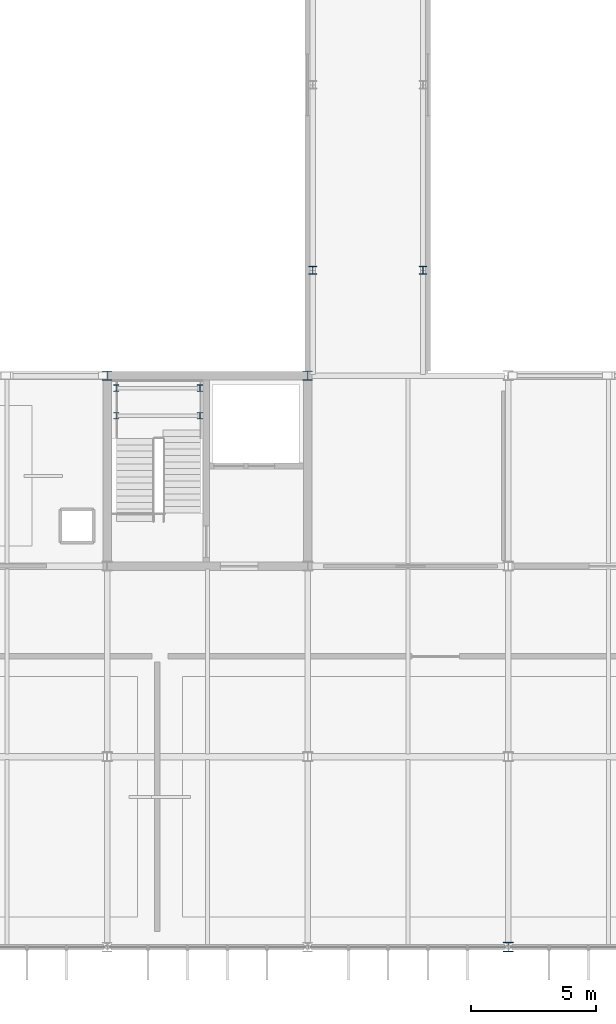
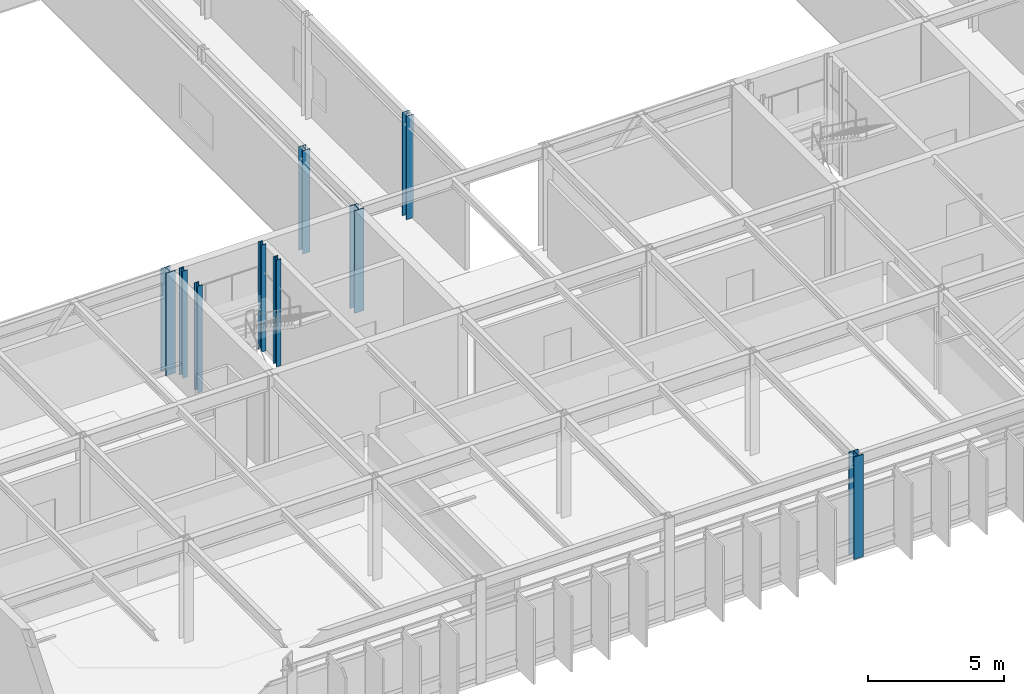
# One storey, part 2 of 104: 9 columns.
"""IFC4 building model written with IfcOpenShell, lengths in metres."""

from ifc_helpers import new_model, si_unit, direction, frame, origin, origin_2d, place, context, subcontext, project, spatial, i_section, extrude, material, material_profile, profile_set, type_object, element, save


model = new_model("IFC4")

# Units and contexts
model_context = context("Model", 3, precision=1e-05, world=origin(), true_north=direction((0.0, 1.0)))
body_context = subcontext(model_context, "Body", "Model", "MODEL_VIEW")
ifc_project = project(units=[si_unit("LENGTHUNIT", "METRE"), si_unit("AREAUNIT", "SQUARE_METRE"), si_unit("VOLUMEUNIT", "CUBIC_METRE"), si_unit("PLANEANGLEUNIT", "RADIAN"), si_unit("MASSUNIT", "GRAM", prefix="KILO")], contexts=[model_context])

# Site, building, storey
site_placement = place(None, origin())
site = spatial("IfcSite", under=ifc_project, at=site_placement, CompositionType="ELEMENT")
building_placement = place(site_placement, origin())
building = spatial("IfcBuilding", under=site, at=building_placement, Name="Zulena Civic Courthouse", CompositionType="ELEMENT")
storey_placement = place(building_placement, frame((0.0, 0.0, 15.60009765625)))
storey = spatial("IfcBuildingStorey", under=building, at=storey_placement, Name="L03", CompositionType="ELEMENT", Elevation=15.60009765625)

# Columns
ifc_material = material(Name="Steel ASTM A992 Grade 50", Category="steel")
ifc_material_profile_1 = material_profile(ifc_material, i_section(OverallWidth=0.2041015625, OverallDepth=0.257080078125, WebThickness=0.0087890625, FlangeThickness=0.015625, FilletRadius=0.0126953125, at=origin_2d()), Name="W10X45")
ifc_profile_set_1 = profile_set([ifc_material_profile_1], Name="Steel ASTM A992 Grade 50")
column_type_1 = type_object("IfcColumnType", Name="Col_W10X45", PredefinedType="COLUMN", material=ifc_profile_set_1)
for number, where, z_axis, x_axis, name in (
    (1, (20.360107421875, 21.199951171875, 0.0), (0.0, 0.0, 1.0), (1.0, 0.0, 0.0), "col:lnd:K2A:L03:0:0"),
    (2, (23.699951171875, 21.199951171875, 0.0), (0.0, 0.0, 1.0), (1.0, 0.0, 0.0), "col:lnd:K2A:L03:0:1"),
    (3, (20.360107421875, 22.300048828125, 0.0), (0.0, 0.0, 1.0), (1.0, 0.0, 0.0), "col:lnd:K2A:L03:1:0"),
    (4, (23.699951171875, 22.300048828125, 0.0), (0.0, 0.0, 1.0), (1.0, 0.0, 0.0), "col:lnd:K2A:L03:1:1"),
):
    element("IfcColumn", number, at=place(storey_placement, frame(where, z_axis=z_axis, x_axis=x_axis)), inside=storey, type_object=column_type_1, Name=name, PredefinedType="COLUMN", context=body_context, shape_type="SweptSolid", body=[
        extrude(i_section(OverallWidth=0.2041015625, OverallDepth=0.257080078125, WebThickness=0.0087890625, FlangeThickness=0.015625, FilletRadius=0.0126953125, at=origin_2d()), origin(), (0.0, 0.0, 1.0), 4.794921875),
    ])
ifc_material_profile_2 = material_profile(ifc_material, i_section(OverallWidth=0.306884765625, OverallDepth=0.31396484375, WebThickness=0.011962890625, FlangeThickness=0.018798828125, FilletRadius=0.01513671875, at=origin_2d()), Name="W12X79")
ifc_profile_set_2 = profile_set([ifc_material_profile_2], Name="Steel ASTM A992 Grade 50")
column_type_2 = type_object("IfcColumnType", Name="Col_W12X79", PredefinedType="COLUMN", material=ifc_profile_set_2)
for number, where, z_axis, x_axis, name in (
    (5, (28.199951171875, 27.0, 0.0), (0.0, 0.0, 1.0), (1.0, 0.0, 0.0), "col:bridge:BR-52J:L03:28.20:27.00"),
    (6, (32.60009765625, 27.0, 0.0), (0.0, 0.0, 1.0), (1.0, 0.0, 0.0), "col:bridge:BR-52J:L03:32.60:27.00"),
):
    element("IfcColumn", number, at=place(storey_placement, frame(where, z_axis=z_axis, x_axis=x_axis)), inside=storey, type_object=column_type_2, Name=name, PredefinedType="COLUMN", context=body_context, shape_type="SweptSolid", body=[
        extrude(i_section(OverallWidth=0.306884765625, OverallDepth=0.31396484375, WebThickness=0.011962890625, FlangeThickness=0.018798828125, FilletRadius=0.01513671875, at=origin_2d()), origin(), (0.0, 0.0, 1.0), 4.6298828125),
    ])
ifc_material_profile_3 = material_profile(ifc_material, i_section(OverallWidth=0.39892578125, OverallDepth=0.386962890625, WebThickness=0.02099609375, FlangeThickness=0.033203125, FilletRadius=0.01513671875, at=origin_2d()), Name="W14X176")
ifc_profile_set_3 = profile_set([ifc_material_profile_3], Name="Steel ASTM A992 Grade 50")
column_type_3 = type_object("IfcColumnType", Name="Col_W14X176", PredefinedType="COLUMN", material=ifc_profile_set_3)
for number, where, z_axis, x_axis, name in (
    (7, (20.0, 22.800048828125, 0.0), (0.0, 0.0, 1.0), (1.0, 0.0, 0.0), "col:V2:L03:20.0:22.8"),
    (8, (28.0, 22.800048828125, 0.0), (0.0, 0.0, 1.0), (1.0, 0.0, 0.0), "col:V2:L03:28.0:22.8"),
):
    element("IfcColumn", number, at=place(storey_placement, frame(where, z_axis=z_axis, x_axis=x_axis)), inside=storey, type_object=column_type_3, Name=name, PredefinedType="COLUMN", context=body_context, shape_type="SweptSolid", body=[
        extrude(i_section(OverallWidth=0.39892578125, OverallDepth=0.386962890625, WebThickness=0.02099609375, FlangeThickness=0.033203125, FilletRadius=0.01513671875, at=origin_2d()), origin(), (0.0, 0.0, 1.0), 4.58984375),
    ])
ifc_material_profile_4 = material_profile(ifc_material, i_section(OverallWidth=0.40087890625, OverallDepth=0.39892578125, WebThickness=0.02490234375, FlangeThickness=0.03955078125, FilletRadius=0.01513671875, at=origin_2d()), Name="W14X211")
ifc_profile_set_4 = profile_set([ifc_material_profile_4], Name="Steel ASTM A992 Grade 50")
column_type_4 = type_object("IfcColumnType", Name="Col_W14X211", PredefinedType="COLUMN", material=ifc_profile_set_4)
column_placement = place(storey_placement, frame((36.0, 0.0, 0.0), z_axis=(0.0, 0.0, 1.0), x_axis=(1.0, 0.0, 0.0)))
element("IfcColumn", 9, at=column_placement, inside=storey, type_object=column_type_4, Name="col:V2:L03:36.0:0.0", PredefinedType="COLUMN", context=body_context, shape_type="SweptSolid", body=[
    extrude(i_section(OverallWidth=0.40087890625, OverallDepth=0.39892578125, WebThickness=0.02490234375, FlangeThickness=0.03955078125, FilletRadius=0.01513671875, at=origin_2d()), origin(), (0.0, 0.0, 1.0), 4.58984375),
])

save(model, "model.ifc")
